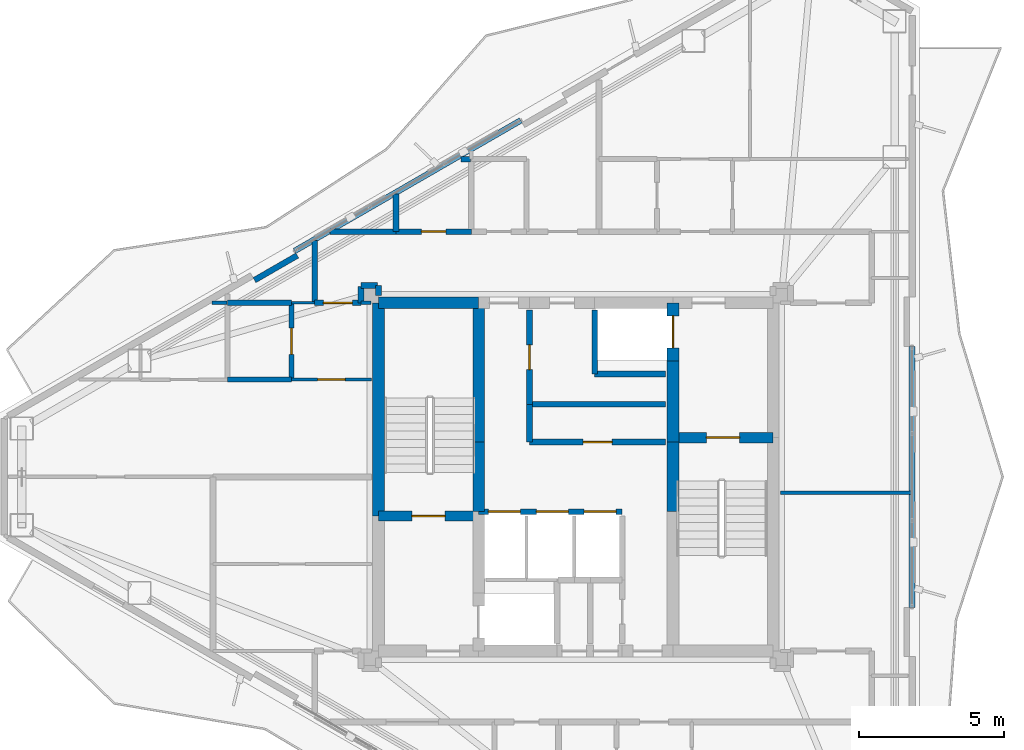
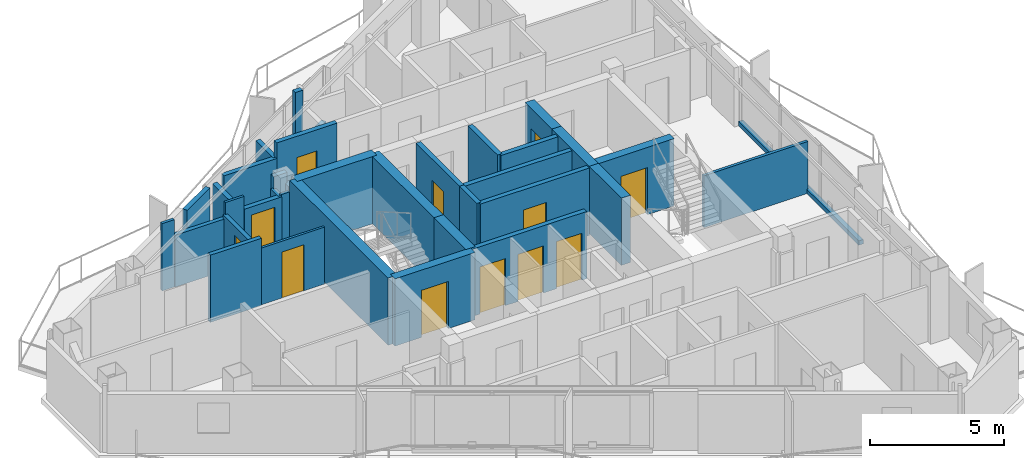
# One storey, part 18 of 22: 36 walls, 12 doors, 12 openings.
"""IFC4 building model written with IfcOpenShell, lengths in metres."""

from ifc_helpers import new_model, si_unit, direction, frame, frame_2d, origin, place, context, subcontext, project, spatial, rectangle, extrude, material, layer, layer_set, type_object, element, fill, save


model = new_model("IFC4")

# Units and contexts
model_context = context("Model", 3, precision=1e-05, world=origin(), true_north=direction((0.0, 1.0)))
body_context = subcontext(model_context, "Body", "Model", "MODEL_VIEW")
ifc_project = project(units=[si_unit("LENGTHUNIT", "METRE"), si_unit("AREAUNIT", "SQUARE_METRE"), si_unit("VOLUMEUNIT", "CUBIC_METRE"), si_unit("PLANEANGLEUNIT", "RADIAN"), si_unit("MASSUNIT", "GRAM", prefix="KILO")], contexts=[model_context])

# Site, building, storey
site_placement = place(None, origin())
site = spatial("IfcSite", under=ifc_project, at=site_placement, CompositionType="ELEMENT")
building_placement = place(site_placement, origin())
building = spatial("IfcBuilding", under=site, at=building_placement, Name="Mersakhor Tower and Convention Hall", CompositionType="ELEMENT")
storey_placement = place(building_placement, frame((0.0, 0.0, 201.89990234375)))
storey = spatial("IfcBuildingStorey", under=building, at=storey_placement, Name="L56", CompositionType="ELEMENT", Elevation=201.89990234375)

# Walls
ifc_material_1 = material(Name="Precast concrete C40/50", Category="concrete")
ifc_layer_1 = layer(ifc_material_1, 0.199951171875)
ifc_layer_set_1 = layer_set([ifc_layer_1], Name="Precast concrete C40/50")
wall_type_1 = type_object("IfcWallType", Name="WL-PAR-200", PredefinedType="PARAPET", material=ifc_layer_set_1)
wall_1_placement = place(storey_placement, frame((19.30908203125, 34.5361328125, 0.0), z_axis=(0.0, 0.0, 1.0), x_axis=(0.866020680503, 0.500008180874, 0.0)))
element("IfcWall", 1, at=wall_1_placement, inside=storey, type_object=wall_type_1, Name="L56 Curtain Wall Upstand Sill F1-B2", PredefinedType="PARAPET", context=body_context, shape_type="SweptSolid", body=[
    extrude(rectangle(XDim=8.998779296875, YDim=0.199951171875, at=frame_2d((4.49951171875, 0.0))), origin(), (0.0, 0.0, 1.0), 0.2001953125),
])
wall_2_placement = place(storey_placement, frame((17.927001953125, 33.5302734375, 0.0), z_axis=(0.0, 0.0, 1.0), x_axis=(0.86605165483, 0.499954529098, 0.0)))
element("IfcWall", 2, at=wall_2_placement, inside=storey, type_object=wall_type_1, Name="L56 Column Pier Cladding Wall F1-C1", PredefinedType="PARAPET", context=body_context, shape_type="SweptSolid", body=[
    extrude(rectangle(XDim=1.699951171875, YDim=0.199951171875, at=frame_2d((0.85009765625, 0.0))), origin(), (0.0, 0.0, 1.0), 2.690185546875),
])
wall_3_placement = place(storey_placement, frame((40.58837890625, 31.24951171875, 0.0), z_axis=(0.0, 0.0, 1.0), x_axis=(0.0, -1.0, 0.0)))
element("IfcWall", 3, at=wall_3_placement, inside=storey, type_object=wall_type_1, Name="L56 Curtain Wall Upstand Sill F2-B2", PredefinedType="PARAPET", context=body_context, shape_type="SweptSolid", body=[
    extrude(rectangle(XDim=8.9990234375, YDim=0.199951171875, at=frame_2d((4.49951171875, 0.0))), origin(), (0.0, 0.0, 1.0), 0.2001953125),
])

# Wall, opening, door
ifc_material_2 = material(Name="Moisture-resistant acoustic drywall studwork", Category="other")
ifc_layer_2 = layer(ifc_material_2, 0.175048828125)
ifc_layer_set_2 = layer_set([ifc_layer_2], Name="Moisture-resistant acoustic drywall studwork")
wall_type_2 = type_object("IfcWallType", Name="WL-PLM-175", PredefinedType="PLUMBINGWALL", material=ifc_layer_set_2)
wall_4_placement = place(storey_placement, frame((19.199951171875, 30.10009765625, 0.0), z_axis=(0.0, 0.0, 1.0), x_axis=(0.0, 1.0, 0.0)))
wall_4 = element("IfcWall", 4, at=wall_4_placement, inside=storey, type_object=wall_type_2, Name="L56 Interior Partition Wall P-059", PredefinedType="PLUMBINGWALL", context=body_context, shape_type="SweptSolid", body=[
    extrude(rectangle(XDim=2.64990234375, YDim=0.175048828125, at=frame_2d((1.324951171875, 0.0))), origin(), (0.0, 0.0, 1.0), 2.518310546875),
])
opening_1_placement = place(wall_4_placement, frame((0.875, 0.0, 0.0)))
opening_1 = element("IfcOpeningElement", 5, at=opening_1_placement, cuts=wall_4, Name="Opening WD-01", PredefinedType="OPENING", context=body_context, shape_type="SweptSolid", body=[
    extrude(rectangle(XDim=0.89990234375, YDim=2.10009765625, at=frame_2d((0.449951171875, 1.050048828125))), frame((0.0, 0.097412109375, 0.0), z_axis=(0.0, -1.0, 0.0), x_axis=(1.0, 0.0, 0.0)), (0.0, 0.0, 1.0), 0.195068359375),
])
ifc_material_3 = material(Name="Solid-core hardwood leaf in painted steel frame", Category="steel")
door_type_1 = type_object("IfcDoorType", Name="DR-INT-WET-090x210", OperationType="NOTDEFINED", PredefinedType="DOOR", material=ifc_material_3)
door_1_placement = place(opening_1_placement, origin())
door_1 = element("IfcDoor", 6, at=door_1_placement, inside=storey, type_object=door_type_1, Name="L56 L56 Flat W4 Apartment Hall to L56 Flat W4 Bathroom Door", OperationType="SINGLE_SWING_RIGHT", OverallHeight=2.10009765625, OverallWidth=0.89990234375, PredefinedType="DOOR", context=body_context, shape_type="SweptSolid", body=[
    extrude(rectangle(XDim=0.89990234375, YDim=2.10009765625, at=frame_2d((0.449951171875, 1.050048828125))), frame((0.0, 0.02490234375, 0.0), z_axis=(0.0, -1.0, 0.0), x_axis=(1.0, 0.0, 0.0)), (0.0, 0.0, 1.0), 0.050048828125),
])
fill(opening_1, door_1)

# Walls
wall_5_placement = place(storey_placement, frame((17.0, 32.75, 0.0), z_axis=(0.0, 0.0, 1.0), x_axis=(1.0, 0.0, 0.0)))
element("IfcWall", 7, at=wall_5_placement, inside=storey, type_object=wall_type_2, Name="L56 Interior Partition Wall P-076", PredefinedType="PLUMBINGWALL", context=body_context, shape_type="SweptSolid", body=[
    extrude(rectangle(XDim=2.199951171875, YDim=0.175048828125, at=frame_2d((1.10009765625, 0.0))), origin(), (0.0, 0.0, 1.0), 2.364990234375),
])
wall_6_placement = place(storey_placement, frame((19.199951171875, 30.10009765625, 0.0), z_axis=(0.0, 0.0, 1.0), x_axis=(-1.0, 0.0, 0.0)))
element("IfcWall", 8, at=wall_6_placement, inside=storey, type_object=wall_type_2, Name="L56 Interior Partition Wall P-077", PredefinedType="PLUMBINGWALL", context=body_context, shape_type="SweptSolid", body=[
    extrude(rectangle(XDim=2.199951171875, YDim=0.175048828125, at=frame_2d((1.10009765625, 0.0))), origin(), (0.0, 0.0, 1.0), 3.070068359375),
])
ifc_material_4 = material(Name="Lightweight gypsum partition", Category="other")
ifc_layer_3 = layer(ifc_material_4, 0.10009765625)
ifc_layer_set_3 = layer_set([ifc_layer_3], Name="Lightweight gypsum partition")
wall_type_3 = type_object("IfcWallType", Name="WL-PRT-100", PredefinedType="PARTITIONING", material=ifc_layer_set_3)
wall_7_placement = place(storey_placement, frame((19.199951171875, 32.75, 0.0), z_axis=(0.0, 0.0, 1.0), x_axis=(1.0, 0.0, 0.0)))
element("IfcWall", 9, at=wall_7_placement, inside=storey, type_object=wall_type_3, Name="L56 Interior Partition Wall P-056", PredefinedType="PARTITIONING", context=body_context, shape_type="SweptSolid", body=[
    extrude(rectangle(XDim=0.800048828125, YDim=0.10009765625, at=frame_2d((0.39990234375, 0.0))), origin(), (0.0, 0.0, 1.0), 3.070068359375),
])

# Wall, opening, door
wall_8_placement = place(storey_placement, frame((21.949951171875, 30.10009765625, 0.0), z_axis=(0.0, 0.0, 1.0), x_axis=(-1.0, 0.0, 0.0)))
wall_8 = element("IfcWall", 10, at=wall_8_placement, inside=storey, type_object=wall_type_3, Name="L56 Interior Partition Wall P-058", PredefinedType="PARTITIONING", context=body_context, shape_type="SweptSolid", body=[
    extrude(rectangle(XDim=2.75, YDim=0.10009765625, at=frame_2d((1.375, 0.0))), origin(), (0.0, 0.0, 1.0), 2.59521484375),
])
opening_2_placement = place(wall_8_placement, frame((0.89990234375, 0.0, 0.0)))
opening_2 = element("IfcOpeningElement", 11, at=opening_2_placement, cuts=wall_8, Name="Opening RD-01", PredefinedType="OPENING", context=body_context, shape_type="SweptSolid", body=[
    extrude(rectangle(XDim=0.949951171875, YDim=2.10009765625, at=frame_2d((0.47509765625, 1.050048828125))), frame((0.0, 0.06005859375, 0.0), z_axis=(0.0, -1.0, 0.0), x_axis=(1.0, 0.0, 0.0)), (0.0, 0.0, 1.0), 0.1201171875),
])
ifc_material_5 = material(Name="Solid-core hardwood leaf in painted steel frame", Category="steel")
door_type_2 = type_object("IfcDoorType", Name="DR-INT-RM-095x210", OperationType="NOTDEFINED", PredefinedType="DOOR", material=ifc_material_5)
door_2_placement = place(opening_2_placement, origin())
door_2 = element("IfcDoor", 12, at=door_2_placement, inside=storey, type_object=door_type_2, Name="L56 L56 Flat W4 Apartment Hall to L56 Flat W4 Living and Dining Room Door", OperationType="SINGLE_SWING_LEFT", OverallHeight=2.10009765625, OverallWidth=0.949951171875, PredefinedType="DOOR", context=body_context, shape_type="SweptSolid", body=[
    extrude(rectangle(XDim=0.949951171875, YDim=2.10009765625, at=frame_2d((0.47509765625, 1.050048828125))), frame((0.0, 0.02490234375, 0.0), z_axis=(0.0, -1.0, 0.0), x_axis=(1.0, 0.0, 0.0)), (0.0, 0.0, 1.0), 0.050048828125),
])
fill(opening_2, door_2)

# Walls
ifc_material_6 = material(Name="Gypsum board acoustic partition", Category="other")
ifc_layer_4 = layer(ifc_material_6, 0.125)
ifc_layer_set_4 = layer_set([ifc_layer_4], Name="Gypsum board acoustic partition")
wall_type_4 = type_object("IfcWallType", Name="WL-PRT-125", PredefinedType="PARTITIONING", material=ifc_layer_set_4)
wall_9_placement = place(storey_placement, frame((21.60009765625, 32.75, 0.0), z_axis=(0.0, 0.0, 1.0), x_axis=(1.0, 0.0, 0.0)))
element("IfcWall", 13, at=wall_9_placement, inside=storey, type_object=wall_type_4, Name="L56 Interior Partition Wall P-057", PredefinedType="PARTITIONING", context=body_context, shape_type="SweptSolid", body=[
    extrude(rectangle(XDim=0.349853515625, YDim=0.125, at=frame_2d((0.1748046875, 0.0))), origin(), (0.0, 0.0, 1.0), 2.59521484375),
])
wall_10_placement = place(storey_placement, frame((16.463623046875, 32.75, 0.0), z_axis=(0.0, 0.0, 1.0), x_axis=(1.0, 0.0, 0.0)))
element("IfcWall", 14, at=wall_10_placement, inside=storey, type_object=wall_type_4, Name="L56 Interior Partition Wall P-081", PredefinedType="PARTITIONING", context=body_context, shape_type="SweptSolid", body=[
    extrude(rectangle(XDim=0.521484375, YDim=0.125, at=frame_2d((0.2607421875, 0.0))), origin(), (0.0, 0.0, 1.0), 3.070068359375),
])
wall_11_placement = place(storey_placement, frame((40.55029296875, 26.199951171875, 0.0), z_axis=(0.0, 0.0, 1.0), x_axis=(-1.0, 0.0, 0.0)))
element("IfcWall", 15, at=wall_11_placement, inside=storey, type_object=wall_type_4, Name="L56 Interior Partition Wall P-093", PredefinedType="PARTITIONING", context=body_context, shape_type="SweptSolid", body=[
    extrude(rectangle(XDim=4.500244140625, YDim=0.125, at=frame_2d((2.25, 0.0))), origin(), (0.0, 0.0, 1.0), 2.364990234375),
])

# Wall, openings, doors
ifc_material_7 = material(Name="Acoustic concrete blockwork and gypsum board", Category="masonry")
ifc_layer_5 = layer(ifc_material_7, 0.199951171875)
ifc_layer_set_5 = layer_set([ifc_layer_5], Name="Acoustic concrete blockwork and gypsum board")
wall_type_5 = type_object("IfcWallType", Name="WL-PRT-200", PredefinedType="PARTITIONING", material=ifc_layer_set_5)
wall_12_placement = place(storey_placement, frame((25.64990234375, 25.550048828125, 0.0), z_axis=(0.0, 0.0, 1.0), x_axis=(1.0, 0.0, 0.0)))
wall_12 = element("IfcWall", 16, at=wall_12_placement, inside=storey, type_object=wall_type_5, Name="L56 High-Rise Lift Bank Front Wall", PredefinedType="PARTITIONING", context=body_context, shape_type="SweptSolid", body=[
    extrude(rectangle(XDim=4.9501953125, YDim=0.199951171875, at=frame_2d((2.47509765625, 0.0))), origin(), (0.0, 0.0, 1.0), 3.070068359375),
])
opening_3_placement = place(wall_12_placement, frame((0.340087890625, 0.0, 0.0)))
opening_3 = element("IfcOpeningElement", 17, at=opening_3_placement, cuts=wall_12, Name="Opening LD-P4", PredefinedType="OPENING", context=body_context, shape_type="SweptSolid", body=[
    extrude(rectangle(XDim=1.10009765625, YDim=2.14990234375, at=frame_2d((0.550048828125, 1.074951171875))), frame((0.0, 0.10986328125, 0.0), z_axis=(0.0, -1.0, 0.0), x_axis=(1.0, 0.0, 0.0)), (0.0, 0.0, 1.0), 0.219970703125),
])
opening_4_placement = place(wall_12_placement, frame((1.989990234375, 0.0, 0.0)))
opening_4 = element("IfcOpeningElement", 18, at=opening_4_placement, cuts=wall_12, Name="Opening LD-P5", PredefinedType="OPENING", context=body_context, shape_type="SweptSolid", body=[
    extrude(rectangle(XDim=1.10009765625, YDim=2.14990234375, at=frame_2d((0.550048828125, 1.074951171875))), frame((0.0, 0.10986328125, 0.0), z_axis=(0.0, -1.0, 0.0), x_axis=(1.0, 0.0, 0.0)), (0.0, 0.0, 1.0), 0.219970703125),
])
opening_5_placement = place(wall_12_placement, frame((3.639892578125, 0.0, 0.0)))
opening_5 = element("IfcOpeningElement", 19, at=opening_5_placement, cuts=wall_12, Name="Opening LD-P6", PredefinedType="OPENING", context=body_context, shape_type="SweptSolid", body=[
    extrude(rectangle(XDim=1.10009765625, YDim=2.14990234375, at=frame_2d((0.550048828125, 1.074951171875))), frame((0.0, 0.10986328125, 0.0), z_axis=(0.0, -1.0, 0.0), x_axis=(1.0, 0.0, 0.0)), (0.0, 0.0, 1.0), 0.219970703125),
])
ifc_material_8 = material(Name="Fire-rated brushed stainless steel sliding landing door", Category="steel")
door_type_3 = type_object("IfcDoorType", Name="DR-LIFT-SLD-110x215", OperationType="NOTDEFINED", PredefinedType="DOOR", material=ifc_material_8)
door_3_placement = place(opening_3_placement, origin())
door_3 = element("IfcDoor", 20, at=door_3_placement, inside=storey, type_object=door_type_3, Name="L56 Lift Landing Door LD-P4", OperationType="SLIDING_TO_LEFT", OverallHeight=2.14990234375, OverallWidth=1.10009765625, PredefinedType="DOOR", context=body_context, shape_type="SweptSolid", body=[
    extrude(rectangle(XDim=1.10009765625, YDim=2.14990234375, at=frame_2d((0.550048828125, 1.074951171875))), frame((0.0, 0.02490234375, 0.0), z_axis=(0.0, -1.0, 0.0), x_axis=(1.0, 0.0, 0.0)), (0.0, 0.0, 1.0), 0.050048828125),
])
fill(opening_3, door_3)
door_4_placement = place(opening_4_placement, origin())
door_4 = element("IfcDoor", 21, at=door_4_placement, inside=storey, type_object=door_type_3, Name="L56 Lift Landing Door LD-P5", OperationType="SLIDING_TO_LEFT", OverallHeight=2.14990234375, OverallWidth=1.10009765625, PredefinedType="DOOR", context=body_context, shape_type="SweptSolid", body=[
    extrude(rectangle(XDim=1.10009765625, YDim=2.14990234375, at=frame_2d((0.550048828125, 1.074951171875))), frame((0.0, 0.02490234375, 0.0), z_axis=(0.0, -1.0, 0.0), x_axis=(1.0, 0.0, 0.0)), (0.0, 0.0, 1.0), 0.050048828125),
])
fill(opening_4, door_4)
door_5_placement = place(opening_5_placement, origin())
door_5 = element("IfcDoor", 22, at=door_5_placement, inside=storey, type_object=door_type_3, Name="L56 Lift Landing Door LD-P6", OperationType="SLIDING_TO_LEFT", OverallHeight=2.14990234375, OverallWidth=1.10009765625, PredefinedType="DOOR", context=body_context, shape_type="SweptSolid", body=[
    extrude(rectangle(XDim=1.10009765625, YDim=2.14990234375, at=frame_2d((0.550048828125, 1.074951171875))), frame((0.0, 0.02490234375, 0.0), z_axis=(0.0, -1.0, 0.0), x_axis=(1.0, 0.0, 0.0)), (0.0, 0.0, 1.0), 0.050048828125),
])
fill(opening_5, door_5)

# Walls
wall_13_placement = place(storey_placement, frame((32.10009765625, 30.300048828125, 0.0), z_axis=(0.0, 0.0, 1.0), x_axis=(-1.0, 0.0, 0.0)))
element("IfcWall", 23, at=wall_13_placement, inside=storey, type_object=wall_type_5, Name="L56 Interior Partition Wall P-004", PredefinedType="PARTITIONING", context=body_context, shape_type="SweptSolid", body=[
    extrude(rectangle(XDim=2.4501953125, YDim=0.199951171875, at=frame_2d((1.22509765625, 0.0))), origin(), (0.0, 0.0, 1.0), 3.070068359375),
])
wall_14_placement = place(storey_placement, frame((29.64990234375, 30.300048828125, 0.0), z_axis=(0.0, 0.0, 1.0), x_axis=(0.0, 1.0, 0.0)))
element("IfcWall", 24, at=wall_14_placement, inside=storey, type_object=wall_type_5, Name="L56 Interior Partition Wall P-005", PredefinedType="PARTITIONING", context=body_context, shape_type="SweptSolid", body=[
    extrude(rectangle(XDim=2.199951171875, YDim=0.199951171875, at=frame_2d((1.10009765625, 0.0))), origin(), (0.0, 0.0, 1.0), 3.070068359375),
])

# Wall, opening, door
wall_15_placement = place(storey_placement, frame((27.39990234375, 32.5, 0.0), z_axis=(0.0, 0.0, 1.0), x_axis=(0.0, -1.0, 0.0)))
wall_15 = element("IfcWall", 25, at=wall_15_placement, inside=storey, type_object=wall_type_5, Name="L56 Interior Partition Wall P-013", PredefinedType="PARTITIONING", context=body_context, shape_type="SweptSolid", body=[
    extrude(rectangle(XDim=3.25, YDim=0.199951171875, at=frame_2d((1.625, 0.0))), origin(), (0.0, 0.0, 1.0), 3.070068359375),
])
opening_6_placement = place(wall_15_placement, frame((1.199951171875, 0.0, 0.0)))
opening_6 = element("IfcOpeningElement", 26, at=opening_6_placement, cuts=wall_15, Name="Opening SVD-01", PredefinedType="OPENING", context=body_context, shape_type="SweptSolid", body=[
    extrude(rectangle(XDim=0.85009765625, YDim=2.10009765625, at=frame_2d((0.425048828125, 1.050048828125))), frame((0.0, 0.10986328125, 0.0), z_axis=(0.0, -1.0, 0.0), x_axis=(1.0, 0.0, 0.0)), (0.0, 0.0, 1.0), 0.219970703125),
])
ifc_material_9 = material(Name="Fire-rated hardwood leaf and painted steel frame", Category="steel")
door_type_4 = type_object("IfcDoorType", Name="DR-INT-SVC-085x210", OperationType="NOTDEFINED", PredefinedType="DOOR", material=ifc_material_9)
door_6_placement = place(opening_6_placement, origin())
door_6 = element("IfcDoor", 27, at=door_6_placement, inside=storey, type_object=door_type_4, Name="L56 Central Passenger Lift Lobby to Resident Recycling and Utility Store Door", OperationType="SINGLE_SWING_LEFT", OverallHeight=2.10009765625, OverallWidth=0.85009765625, PredefinedType="DOOR", context=body_context, shape_type="SweptSolid", body=[
    extrude(rectangle(XDim=0.85009765625, YDim=2.10009765625, at=frame_2d((0.425048828125, 1.050048828125))), frame((0.0, 0.02490234375, 0.0), z_axis=(0.0, -1.0, 0.0), x_axis=(1.0, 0.0, 0.0)), (0.0, 0.0, 1.0), 0.050048828125),
])
fill(opening_6, door_6)

# Wall
wall_16_placement = place(storey_placement, frame((27.39990234375, 29.25, 0.0), z_axis=(0.0, 0.0, 1.0), x_axis=(0.0, -1.0, 0.0)))
element("IfcWall", 28, at=wall_16_placement, inside=storey, type_object=wall_type_5, Name="L56 Interior Partition Wall P-014", PredefinedType="PARTITIONING", context=body_context, shape_type="SweptSolid", body=[
    extrude(rectangle(XDim=1.300048828125, YDim=0.199951171875, at=frame_2d((0.64990234375, 0.0))), origin(), (0.0, 0.0, 1.0), 3.070068359375),
])

# Wall, opening, door
wall_17_placement = place(storey_placement, frame((27.39990234375, 27.949951171875, 0.0), z_axis=(0.0, 0.0, 1.0), x_axis=(1.0, 0.0, 0.0)))
wall_17 = element("IfcWall", 29, at=wall_17_placement, inside=storey, type_object=wall_type_5, Name="L56 Interior Partition Wall P-015", PredefinedType="PARTITIONING", context=body_context, shape_type="SweptSolid", body=[
    extrude(rectangle(XDim=4.7001953125, YDim=0.199951171875, at=frame_2d((2.35009765625, 0.0))), origin(), (0.0, 0.0, 1.0), 3.070068359375),
])
opening_7_placement = place(wall_17_placement, frame((1.85009765625, 0.0, 0.0)))
opening_7 = element("IfcOpeningElement", 30, at=opening_7_placement, cuts=wall_17, Name="Opening FD-01", PredefinedType="OPENING", context=body_context, shape_type="SweptSolid", body=[
    extrude(rectangle(XDim=1.0, YDim=2.14990234375, at=frame_2d((0.5, 1.074951171875))), frame((0.0, 0.10986328125, 0.0), z_axis=(0.0, -1.0, 0.0), x_axis=(1.0, 0.0, 0.0)), (0.0, 0.0, 1.0), 0.219970703125),
])
ifc_material_10 = material(Name="Fire-rated hardwood leaf and painted steel frame", Category="steel")
door_type_5 = type_object("IfcDoorType", Name="DR-INT-FLT-100x215", OperationType="NOTDEFINED", PredefinedType="DOOR", material=ifc_material_10)
door_7_placement = place(opening_7_placement, origin())
door_7 = element("IfcDoor", 31, at=door_7_placement, inside=storey, type_object=door_type_5, Name="L56 Central Passenger Lift Lobby to Household Laundry Room Door", OperationType="SINGLE_SWING_RIGHT", OverallHeight=2.14990234375, OverallWidth=1.0, PredefinedType="DOOR", context=body_context, shape_type="SweptSolid", body=[
    extrude(rectangle(XDim=1.0, YDim=2.14990234375, at=frame_2d((0.5, 1.074951171875))), frame((0.0, 0.02490234375, 0.0), z_axis=(0.0, -1.0, 0.0), x_axis=(1.0, 0.0, 0.0)), (0.0, 0.0, 1.0), 0.050048828125),
])
fill(opening_7, door_7)

# Walls
wall_18_placement = place(storey_placement, frame((22.199951171875, 33.0, 0.0), z_axis=(0.0, 0.0, 1.0), x_axis=(0.0, 1.0, 0.0)))
element("IfcWall", 32, at=wall_18_placement, inside=storey, type_object=wall_type_5, Name="L56 Interior Partition Wall P-022", PredefinedType="PARTITIONING", context=body_context, shape_type="SweptSolid", body=[
    extrude(rectangle(XDim=0.35009765625, YDim=0.199951171875, at=frame_2d((0.175048828125, 0.0))), origin(), (0.0, 0.0, 1.0), 2.59521484375),
])
wall_19_placement = place(storey_placement, frame((22.169921875, 33.35009765625, 0.0), z_axis=(0.0, 0.0, 1.0), x_axis=(-1.0, 0.0, 0.0)))
element("IfcWall", 33, at=wall_19_placement, inside=storey, type_object=wall_type_5, Name="L56 Interior Partition Wall P-023", PredefinedType="PARTITIONING", context=body_context, shape_type="SweptSolid", body=[
    extrude(rectangle(XDim=0.56982421875, YDim=0.199951171875, at=frame_2d((0.284912109375, 0.0))), origin(), (0.0, 0.0, 1.0), 3.070068359375),
])
wall_20_placement = place(storey_placement, frame((21.60009765625, 33.320068359375, 0.0), z_axis=(0.0, 0.0, 1.0), x_axis=(0.0, -1.0, 0.0)))
element("IfcWall", 34, at=wall_20_placement, inside=storey, type_object=wall_type_5, Name="L56 Interior Partition Wall P-024", PredefinedType="PARTITIONING", context=body_context, shape_type="SweptSolid", body=[
    extrude(rectangle(XDim=0.570068359375, YDim=0.199951171875, at=frame_2d((0.28515625, 0.0))), origin(), (0.0, 0.0, 1.0), 2.518310546875),
])

# Wall, opening, door
wall_21_placement = place(storey_placement, frame((21.60009765625, 32.75, 0.0), z_axis=(0.0, 0.0, 1.0), x_axis=(-1.0, 0.0, 0.0)))
wall_21 = element("IfcWall", 35, at=wall_21_placement, inside=storey, type_object=wall_type_5, Name="L56 Interior Partition Wall P-025", PredefinedType="PARTITIONING", context=body_context, shape_type="SweptSolid", body=[
    extrude(rectangle(XDim=1.60009765625, YDim=0.199951171875, at=frame_2d((0.800048828125, 0.0))), origin(), (0.0, 0.0, 1.0), 2.518310546875),
])
opening_8_placement = place(wall_21_placement, frame((0.300048828125, 0.0, 0.0)))
opening_8 = element("IfcOpeningElement", 36, at=opening_8_placement, cuts=wall_21, Name="Opening FD-01", PredefinedType="OPENING", context=body_context, shape_type="SweptSolid", body=[
    extrude(rectangle(XDim=1.0, YDim=2.14990234375, at=frame_2d((0.5, 1.074951171875))), frame((0.0, 0.10986328125, 0.0), z_axis=(0.0, -1.0, 0.0), x_axis=(1.0, 0.0, 0.0)), (0.0, 0.0, 1.0), 0.219970703125),
])
door_8_placement = place(opening_8_placement, origin())
door_8 = element("IfcDoor", 37, at=door_8_placement, inside=storey, type_object=door_type_5, Name="L56 Apartment Entrance Door (Residential North Gallery Corridor to L56 Flat W4 Apartment Hall)", OperationType="SINGLE_SWING_LEFT", OverallHeight=2.14990234375, OverallWidth=1.0, PredefinedType="DOOR", context=body_context, shape_type="SweptSolid", body=[
    extrude(rectangle(XDim=1.0, YDim=2.14990234375, at=frame_2d((0.5, 1.074951171875))), frame((0.0, 0.02490234375, 0.0), z_axis=(0.0, -1.0, 0.0), x_axis=(1.0, 0.0, 0.0)), (0.0, 0.0, 1.0), 0.050048828125),
])
fill(opening_8, door_8)

# Walls
wall_22_placement = place(storey_placement, frame((20.0, 32.75, 0.0), z_axis=(0.0, 0.0, 1.0), x_axis=(0.0, 1.0, 0.0)))
element("IfcWall", 38, at=wall_22_placement, inside=storey, type_object=wall_type_5, Name="L56 Interior Partition Wall P-026", PredefinedType="PARTITIONING", context=body_context, shape_type="SweptSolid", body=[
    extrude(rectangle(XDim=2.14111328125, YDim=0.199951171875, at=frame_2d((1.070556640625, 0.0))), origin(), (0.0, 0.0, 1.0), 2.364990234375),
])
wall_23_placement = place(storey_placement, frame((20.5283203125, 35.199951171875, 0.0), z_axis=(0.0, 0.0, 1.0), x_axis=(1.0, 0.0, 0.0)))
element("IfcWall", 39, at=wall_23_placement, inside=storey, type_object=wall_type_5, Name="L56 Interior Partition Wall P-027", PredefinedType="PARTITIONING", context=body_context, shape_type="SweptSolid", body=[
    extrude(rectangle(XDim=2.271728515625, YDim=0.199951171875, at=frame_2d((1.1357421875, 0.0))), origin(), (0.0, 0.0, 1.0), 2.364990234375),
])

# Wall, opening, door
wall_24_placement = place(storey_placement, frame((22.800048828125, 35.199951171875, 0.0), z_axis=(0.0, 0.0, 1.0), x_axis=(1.0, 0.0, 0.0)))
wall_24 = element("IfcWall", 40, at=wall_24_placement, inside=storey, type_object=wall_type_5, Name="L56 Interior Partition Wall P-028", PredefinedType="PARTITIONING", context=body_context, shape_type="SweptSolid", body=[
    extrude(rectangle(XDim=2.599853515625, YDim=0.199951171875, at=frame_2d((1.2998046875, 0.0))), origin(), (0.0, 0.0, 1.0), 3.070068359375),
])
opening_9_placement = place(wall_24_placement, frame((0.875, 0.0, 0.0)))
opening_9 = element("IfcOpeningElement", 41, at=opening_9_placement, cuts=wall_24, Name="Opening SVD-01", PredefinedType="OPENING", context=body_context, shape_type="SweptSolid", body=[
    extrude(rectangle(XDim=0.85009765625, YDim=2.10009765625, at=frame_2d((0.425048828125, 1.050048828125))), frame((0.0, 0.10986328125, 0.0), z_axis=(0.0, -1.0, 0.0), x_axis=(1.0, 0.0, 0.0)), (0.0, 0.0, 1.0), 0.219970703125),
])
door_9_placement = place(opening_9_placement, origin())
door_9 = element("IfcDoor", 42, at=door_9_placement, inside=storey, type_object=door_type_4, Name="L56 Residential North Gallery Corridor to L56 Floor Household Store Room 1-1 Door", OperationType="SINGLE_SWING_LEFT", OverallHeight=2.10009765625, OverallWidth=0.85009765625, PredefinedType="DOOR", context=body_context, shape_type="SweptSolid", body=[
    extrude(rectangle(XDim=0.85009765625, YDim=2.10009765625, at=frame_2d((0.425048828125, 1.050048828125))), frame((0.0, 0.02490234375, 0.0), z_axis=(0.0, -1.0, 0.0), x_axis=(1.0, 0.0, 0.0)), (0.0, 0.0, 1.0), 0.050048828125),
])
fill(opening_9, door_9)

# Walls
wall_25_placement = place(storey_placement, frame((32.10009765625, 29.25, 0.0), z_axis=(0.0, 0.0, 1.0), x_axis=(-1.0, 0.0, 0.0)))
element("IfcWall", 43, at=wall_25_placement, inside=storey, type_object=wall_type_5, Name="L56 Interior Partition Wall P-082", PredefinedType="PARTITIONING", context=body_context, shape_type="SweptSolid", body=[
    extrude(rectangle(XDim=4.7001953125, YDim=0.199951171875, at=frame_2d((2.35009765625, 0.0))), origin(), (0.0, 0.0, 1.0), 3.070068359375),
])
wall_26_placement = place(storey_placement, frame((25.0380859375, 37.699951171875, 0.0), z_axis=(0.0, 0.0, 1.0), x_axis=(1.0, 0.0, 0.0)))
element("IfcWall", 44, at=wall_26_placement, inside=storey, type_object=wall_type_5, Name="L56 Interior Partition Wall P-096", PredefinedType="PARTITIONING", context=body_context, shape_type="SweptSolid", body=[
    extrude(rectangle(XDim=0.33203125, YDim=0.199951171875, at=frame_2d((0.166015625, 0.0))), origin(), (0.0, 0.0, 1.0), 3.070068359375),
])
wall_27_placement = place(storey_placement, frame((22.800048828125, 35.199951171875, 0.0), z_axis=(0.0, 0.0, 1.0), x_axis=(0.0, 1.0, 0.0)))
element("IfcWall", 45, at=wall_27_placement, inside=storey, type_object=wall_type_5, Name="L56 Interior Partition Wall P-097", PredefinedType="PARTITIONING", context=body_context, shape_type="SweptSolid", body=[
    extrude(rectangle(XDim=1.307861328125, YDim=0.199951171875, at=frame_2d((0.65380859375, 0.0))), origin(), (0.0, 0.0, 1.0), 2.364990234375),
])

# Wall, opening, door
ifc_material_11 = material(Name="Concrete C50/60", Category="concrete")
ifc_layer_6 = layer(ifc_material_11, 0.35009765625)
ifc_layer_set_6 = layer_set([ifc_layer_6], Name="Concrete C50/60")
wall_type_6 = type_object("IfcWallType", Name="WL-SHR-350", PredefinedType="SHEAR", material=ifc_layer_set_6)
wall_28_placement = place(storey_placement, frame((22.199951171875, 25.39990234375, 0.0), z_axis=(0.0, 0.0, 1.0), x_axis=(1.0, 0.0, 0.0)))
wall_28 = element("IfcWall", 46, at=wall_28_placement, inside=storey, type_object=wall_type_6, Name="L56 Core Wall CS-ST1-S", PredefinedType="SHEAR", context=body_context, shape_type="SweptSolid", body=[
    extrude(rectangle(XDim=3.449951171875, YDim=0.35009765625, at=frame_2d((1.72509765625, 0.0))), origin(), (0.0, 0.0, 1.0), 3.070068359375),
])
opening_10_placement = place(wall_28_placement, frame((1.14990234375, 0.0, 0.0)))
opening_10 = element("IfcOpeningElement", 47, at=opening_10_placement, cuts=wall_28, Name="Opening SD-01", PredefinedType="OPENING", context=body_context, shape_type="SweptSolid", body=[
    extrude(rectangle(XDim=1.14990234375, YDim=2.14990234375, at=frame_2d((0.574951171875, 1.074951171875))), frame((0.0, 0.18505859375, 0.0), z_axis=(0.0, -1.0, 0.0), x_axis=(1.0, 0.0, 0.0)), (0.0, 0.0, 1.0), 0.3701171875),
])
ifc_material_12 = material(Name="Fire-rated hardwood leaf and painted steel frame", Category="steel")
door_type_6 = type_object("IfcDoorType", Name="DR-INT-STAIR-115x215", OperationType="NOTDEFINED", PredefinedType="DOOR", material=ifc_material_12)
door_10_placement = place(opening_10_placement, origin())
door_10 = element("IfcDoor", 48, at=door_10_placement, inside=storey, type_object=door_type_6, Name="L56 Exit Stair ST-1 Enclosure Door", OperationType="SINGLE_SWING_LEFT", OverallHeight=2.14990234375, OverallWidth=1.14990234375, PredefinedType="DOOR", context=body_context, shape_type="SweptSolid", body=[
    extrude(rectangle(XDim=1.14990234375, YDim=2.14990234375, at=frame_2d((0.574951171875, 1.074951171875))), frame((0.0, 0.02490234375, 0.0), z_axis=(0.0, -1.0, 0.0), x_axis=(1.0, 0.0, 0.0)), (0.0, 0.0, 1.0), 0.050048828125),
])
fill(opening_10, door_10)

wall_29_placement = place(storey_placement, frame((32.35009765625, 28.10009765625, 0.0), z_axis=(0.0, 0.0, 1.0), x_axis=(1.0, 0.0, 0.0)))
wall_29 = element("IfcWall", 49, at=wall_29_placement, inside=storey, type_object=wall_type_6, Name="L56 Core Wall CS-ST2-N", PredefinedType="SHEAR", context=body_context, shape_type="SweptSolid", body=[
    extrude(rectangle(XDim=3.449951171875, YDim=0.35009765625, at=frame_2d((1.72509765625, 0.0))), origin(), (0.0, 0.0, 1.0), 3.070068359375),
])
opening_11_placement = place(wall_29_placement, frame((1.14990234375, 0.0, 0.0)))
opening_11 = element("IfcOpeningElement", 50, at=opening_11_placement, cuts=wall_29, Name="Opening SD-01", PredefinedType="OPENING", context=body_context, shape_type="SweptSolid", body=[
    extrude(rectangle(XDim=1.14990234375, YDim=2.14990234375, at=frame_2d((0.574951171875, 1.074951171875))), frame((0.0, 0.18505859375, 0.0), z_axis=(0.0, -1.0, 0.0), x_axis=(1.0, 0.0, 0.0)), (0.0, 0.0, 1.0), 0.3701171875),
])
door_11_placement = place(opening_11_placement, origin())
door_11 = element("IfcDoor", 51, at=door_11_placement, inside=storey, type_object=door_type_6, Name="L56 Exit Stair ST-2 Enclosure Door", OperationType="SINGLE_SWING_RIGHT", OverallHeight=2.14990234375, OverallWidth=1.14990234375, PredefinedType="DOOR", context=body_context, shape_type="SweptSolid", body=[
    extrude(rectangle(XDim=1.14990234375, YDim=2.14990234375, at=frame_2d((0.574951171875, 1.074951171875))), frame((0.0, 0.02490234375, 0.0), z_axis=(0.0, -1.0, 0.0), x_axis=(1.0, 0.0, 0.0)), (0.0, 0.0, 1.0), 0.050048828125),
])
fill(opening_11, door_11)

# Walls
ifc_material_13 = material(Name="Concrete C60/75", Category="concrete")
ifc_layer_7 = layer(ifc_material_13, 0.39990234375)
ifc_layer_set_7 = layer_set([ifc_layer_7], Name="Concrete C60/75")
wall_type_7 = type_object("IfcWallType", Name="WL-SHR-400", PredefinedType="SHEAR", material=ifc_layer_set_7)
wall_30_placement = place(storey_placement, frame((22.199951171875, 25.39990234375, 0.0), z_axis=(0.0, 0.0, 1.0), x_axis=(0.0, 1.0, 0.0)))
element("IfcWall", 52, at=wall_30_placement, inside=storey, type_object=wall_type_7, Name="L56 Core Wall CW-W2", PredefinedType="SHEAR", context=body_context, shape_type="SweptSolid", body=[
    extrude(rectangle(XDim=7.35009765625, YDim=0.39990234375, at=frame_2d((3.675048828125, 0.0))), origin(), (0.0, 0.0, 1.0), 3.070068359375),
])
wall_31_placement = place(storey_placement, frame((22.199951171875, 32.75, 0.0), z_axis=(0.0, 0.0, 1.0), x_axis=(1.0, 0.0, 0.0)))
element("IfcWall", 53, at=wall_31_placement, inside=storey, type_object=wall_type_7, Name="L56 Core Wall CW-N1", PredefinedType="SHEAR", context=body_context, shape_type="SweptSolid", body=[
    extrude(rectangle(XDim=3.449951171875, YDim=0.39990234375, at=frame_2d((1.72509765625, 0.0))), origin(), (0.0, 0.0, 1.0), 3.070068359375),
])
wall_32_placement = place(storey_placement, frame((25.64990234375, 25.550048828125, 0.0), z_axis=(0.0, 0.0, 1.0), x_axis=(0.0, 1.0, 0.0)))
element("IfcWall", 54, at=wall_32_placement, inside=storey, type_object=wall_type_7, Name="L56 Core Wall CS-W-LOB", PredefinedType="SHEAR", context=body_context, shape_type="SweptSolid", body=[
    extrude(rectangle(XDim=2.39990234375, YDim=0.39990234375, at=frame_2d((1.199951171875, 0.0))), origin(), (0.0, 0.0, 1.0), 3.070068359375),
])
wall_33_placement = place(storey_placement, frame((25.64990234375, 27.949951171875, 0.0), z_axis=(0.0, 0.0, 1.0), x_axis=(0.0, 1.0, 0.0)))
element("IfcWall", 55, at=wall_33_placement, inside=storey, type_object=wall_type_7, Name="L56 Core Wall CS-W-ST1", PredefinedType="SHEAR", context=body_context, shape_type="SweptSolid", body=[
    extrude(rectangle(XDim=4.800048828125, YDim=0.39990234375, at=frame_2d((2.39990234375, 0.0))), origin(), (0.0, 0.0, 1.0), 3.070068359375),
])
wall_34_placement = place(storey_placement, frame((32.35009765625, 25.550048828125, 0.0), z_axis=(0.0, 0.0, 1.0), x_axis=(0.0, 1.0, 0.0)))
element("IfcWall", 56, at=wall_34_placement, inside=storey, type_object=wall_type_7, Name="L56 Core Wall CS-E-LOB", PredefinedType="SHEAR", context=body_context, shape_type="SweptSolid", body=[
    extrude(rectangle(XDim=2.39990234375, YDim=0.39990234375, at=frame_2d((1.199951171875, 0.0))), origin(), (0.0, 0.0, 1.0), 3.070068359375),
])
wall_35_placement = place(storey_placement, frame((32.35009765625, 27.949951171875, 0.0), z_axis=(0.0, 0.0, 1.0), x_axis=(0.0, 1.0, 0.0)))
element("IfcWall", 57, at=wall_35_placement, inside=storey, type_object=wall_type_7, Name="L56 Core Wall CS-E-MID", PredefinedType="SHEAR", context=body_context, shape_type="SweptSolid", body=[
    extrude(rectangle(XDim=2.800048828125, YDim=0.39990234375, at=frame_2d((1.39990234375, 0.0))), origin(), (0.0, 0.0, 1.0), 3.070068359375),
])

# Wall, opening, door
wall_36_placement = place(storey_placement, frame((32.35009765625, 30.75, 0.0), z_axis=(0.0, 0.0, 1.0), x_axis=(0.0, 1.0, 0.0)))
wall_36 = element("IfcWall", 58, at=wall_36_placement, inside=storey, type_object=wall_type_7, Name="L56 Core Wall CS-E-FFL", PredefinedType="SHEAR", context=body_context, shape_type="SweptSolid", body=[
    extrude(rectangle(XDim=2.0, YDim=0.39990234375, at=frame_2d((1.0, 0.0))), origin(), (0.0, 0.0, 1.0), 3.070068359375),
])
opening_12_placement = place(wall_36_placement, frame((0.449951171875, 0.0, 0.0)))
opening_12 = element("IfcOpeningElement", 59, at=opening_12_placement, cuts=wall_36, Name="Opening LD-FFL2", PredefinedType="OPENING", context=body_context, shape_type="SweptSolid", body=[
    extrude(rectangle(XDim=1.10009765625, YDim=2.14990234375, at=frame_2d((0.550048828125, 1.074951171875))), frame((0.0, 0.2099609375, 0.0), z_axis=(0.0, -1.0, 0.0), x_axis=(1.0, 0.0, 0.0)), (0.0, 0.0, 1.0), 0.419921875),
])
door_12_placement = place(opening_12_placement, origin())
door_12 = element("IfcDoor", 60, at=door_12_placement, inside=storey, type_object=door_type_3, Name="L56 Firefighting Lift Landing Door LD-FFL2", OperationType="SLIDING_TO_LEFT", OverallHeight=2.14990234375, OverallWidth=1.10009765625, PredefinedType="DOOR", context=body_context, shape_type="SweptSolid", body=[
    extrude(rectangle(XDim=1.10009765625, YDim=2.14990234375, at=frame_2d((0.550048828125, 1.074951171875))), frame((0.0, 0.02490234375, 0.0), z_axis=(0.0, -1.0, 0.0), x_axis=(1.0, 0.0, 0.0)), (0.0, 0.0, 1.0), 0.050048828125),
])
fill(opening_12, door_12)

save(model, "model.ifc")
